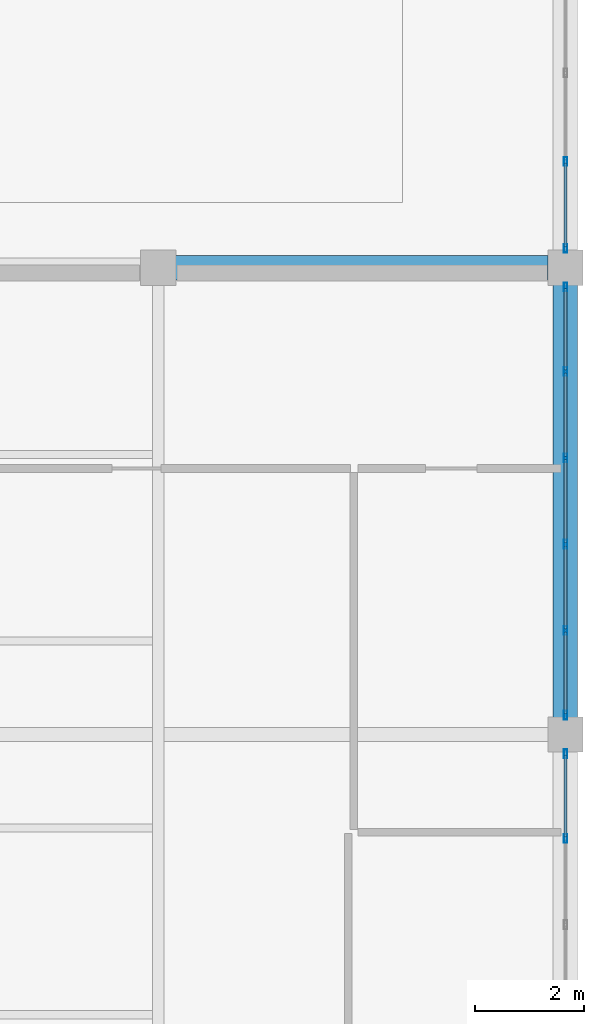
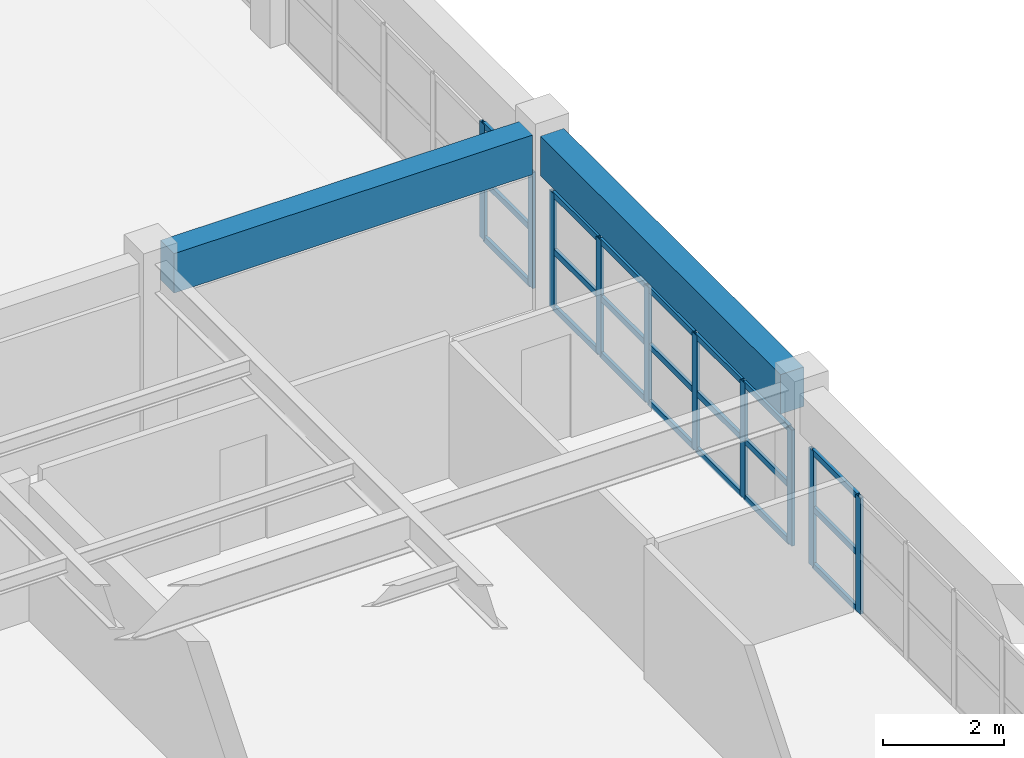
# One storey, part 34 of 74: 31 members, 2 beams, 3 elements without a shape of their own.
"""IFC4 building model written with IfcOpenShell, lengths in metres."""

from ifc_helpers import new_model, si_unit, direction, frame, origin, origin_2d, place, context, subcontext, project, spatial, rectangle, hollow_rectangle, extrude, material, layer, layer_set, material_profile, profile_set, type_object, element, aggregate, save


model = new_model("IFC4")

# Units and contexts
model_context = context("Model", 3, precision=1e-05, world=origin(), true_north=direction((0.0, 1.0)))
body_context = subcontext(model_context, "Body", "Model", "MODEL_VIEW")
ifc_project = project(units=[si_unit("LENGTHUNIT", "METRE"), si_unit("AREAUNIT", "SQUARE_METRE"), si_unit("VOLUMEUNIT", "CUBIC_METRE"), si_unit("PLANEANGLEUNIT", "RADIAN"), si_unit("MASSUNIT", "GRAM", prefix="KILO")], contexts=[model_context])

# Site, building, storey
site_placement = place(None, origin())
site = spatial("IfcSite", under=ifc_project, at=site_placement, CompositionType="ELEMENT")
building_placement = place(site_placement, origin())
building = spatial("IfcBuilding", under=site, at=building_placement, Name="Muzn Square Opera House", CompositionType="ELEMENT")
storey_placement = place(building_placement, frame((0.0, 0.0, 14.199951171875)))
storey = spatial("IfcBuildingStorey", under=building, at=storey_placement, Name="L03", CompositionType="ELEMENT", Elevation=14.199951171875)

# Curtain wall, members
ifc_material_1 = material(Name="Low-E laminated acoustic double glazing", Category="glass")
ifc_layer_1 = layer(ifc_material_1, 0.159912109375, Name="Low-E laminated acoustic double glazing", Category="glass")
ifc_layer_set_1 = layer_set([ifc_layer_1], Name="Low-E laminated acoustic double glazing")
curtain_wall_type_1 = type_object("IfcCurtainWallType", Name="Glazed Curtain Wall RehearsalEast 7950x2350", PredefinedType="USERDEFINED", material=ifc_layer_set_1)
curtain_wall_1_placement = place(storey_placement, origin())
curtain_wall_1 = element("IfcCurtainWall", 1, at=curtain_wall_1_placement, inside=storey, type_object=curtain_wall_type_1, Name="Glazed Curtain Wall CW-L03-126", ObjectType="GLAZED CURTAIN WALL", PredefinedType="USERDEFINED")
ifc_material_2 = material(Name="Anodised bronze aluminium 6063-T6", Category="metal")
ifc_material_profile_1 = material_profile(ifc_material_2, hollow_rectangle(XDim=0.06005859375, YDim=0.159912109375, WallThickness=0.00390625, at=origin_2d()), Name="ALU 160x60x4", Category="metal")
ifc_profile_set_1 = profile_set([ifc_material_profile_1], Name="Anodised bronze aluminium 6063-T6")
member_type_1 = type_object("IfcMemberType", Name="Curtain Wall Mullion 160x60", PredefinedType="MULLION", material=ifc_profile_set_1)
member_1_placement = place(storey_placement, frame((170.0, 79.284912109375, 0.0), z_axis=(0.0, 0.0, 1.0), x_axis=(-1.0, 0.0, 0.0)))
member_1 = element("IfcMember", 2, at=member_1_placement, type_object=member_type_1, Name="CW-RHE-79x23 mullion 5", PredefinedType="MULLION", context=body_context, shape_type="SweptSolid", body=[
    extrude(hollow_rectangle(XDim=0.06005859375, YDim=0.159912109375, WallThickness=0.00390625, at=origin_2d()), origin(), (0.0, 0.0, 1.0), 2.35009765625),
])
member_2_placement = place(storey_placement, frame((170.0, 80.844970703125, 0.0), z_axis=(0.0, 0.0, 1.0), x_axis=(-1.0, 0.0, 0.0)))
member_2 = element("IfcMember", 3, at=member_2_placement, type_object=member_type_1, Name="CW-RHE-79x23 mullion 6", PredefinedType="MULLION", context=body_context, shape_type="SweptSolid", body=[
    extrude(hollow_rectangle(XDim=0.06005859375, YDim=0.159912109375, WallThickness=0.00390625, at=origin_2d()), origin(), (0.0, 0.0, 1.0), 2.35009765625),
])

curtain_wall_2_placement = place(storey_placement, origin())
curtain_wall_2 = element("IfcCurtainWall", 4, at=curtain_wall_2_placement, inside=storey, type_object=curtain_wall_type_1, Name="Glazed Curtain Wall CW-L03-127", ObjectType="GLAZED CURTAIN WALL", PredefinedType="USERDEFINED")
member_3_placement = place(storey_placement, frame((170.0, 81.554931640625, 0.0), z_axis=(0.0, 0.0, 1.0), x_axis=(-1.0, 0.0, 0.0)))
member_3 = element("IfcMember", 5, at=member_3_placement, type_object=member_type_1, Name="CW-RHE-79x23 mullion 1", PredefinedType="MULLION", context=body_context, shape_type="SweptSolid", body=[
    extrude(hollow_rectangle(XDim=0.06005859375, YDim=0.159912109375, WallThickness=0.00390625, at=origin_2d()), origin(), (0.0, 0.0, 1.0), 2.35009765625),
])
member_4_placement = place(storey_placement, frame((170.0, 83.114990234375, 0.0), z_axis=(0.0, 0.0, 1.0), x_axis=(-1.0, 0.0, 0.0)))
member_4 = element("IfcMember", 6, at=member_4_placement, type_object=member_type_1, Name="CW-RHE-79x23 mullion 2", PredefinedType="MULLION", context=body_context, shape_type="SweptSolid", body=[
    extrude(hollow_rectangle(XDim=0.06005859375, YDim=0.159912109375, WallThickness=0.00390625, at=origin_2d()), origin(), (0.0, 0.0, 1.0), 2.35009765625),
])
member_5_placement = place(storey_placement, frame((170.0, 84.705078125, 0.0), z_axis=(0.0, 0.0, 1.0), x_axis=(-1.0, 0.0, 0.0)))
member_5 = element("IfcMember", 7, at=member_5_placement, type_object=member_type_1, Name="CW-RHE-79x23 mullion 3", PredefinedType="MULLION", context=body_context, shape_type="SweptSolid", body=[
    extrude(hollow_rectangle(XDim=0.06005859375, YDim=0.159912109375, WallThickness=0.00390625, at=origin_2d()), origin(), (0.0, 0.0, 1.0), 2.35009765625),
])
member_6_placement = place(storey_placement, frame((170.0, 86.294921875, 0.0), z_axis=(0.0, 0.0, 1.0), x_axis=(-1.0, 0.0, 0.0)))
member_6 = element("IfcMember", 8, at=member_6_placement, type_object=member_type_1, Name="CW-RHE-79x23 mullion 4", PredefinedType="MULLION", context=body_context, shape_type="SweptSolid", body=[
    extrude(hollow_rectangle(XDim=0.06005859375, YDim=0.159912109375, WallThickness=0.00390625, at=origin_2d()), origin(), (0.0, 0.0, 1.0), 2.35009765625),
])
member_7_placement = place(storey_placement, frame((170.0, 87.885009765625, 0.0), z_axis=(0.0, 0.0, 1.0), x_axis=(-1.0, 0.0, 0.0)))
member_7 = element("IfcMember", 9, at=member_7_placement, type_object=member_type_1, Name="CW-RHE-79x23 mullion 5", PredefinedType="MULLION", context=body_context, shape_type="SweptSolid", body=[
    extrude(hollow_rectangle(XDim=0.06005859375, YDim=0.159912109375, WallThickness=0.00390625, at=origin_2d()), origin(), (0.0, 0.0, 1.0), 2.35009765625),
])
member_8_placement = place(storey_placement, frame((170.0, 89.445068359375, 0.0), z_axis=(0.0, 0.0, 1.0), x_axis=(-1.0, 0.0, 0.0)))
member_8 = element("IfcMember", 10, at=member_8_placement, type_object=member_type_1, Name="CW-RHE-79x23 mullion 6", PredefinedType="MULLION", context=body_context, shape_type="SweptSolid", body=[
    extrude(hollow_rectangle(XDim=0.06005859375, YDim=0.159912109375, WallThickness=0.00390625, at=origin_2d()), origin(), (0.0, 0.0, 1.0), 2.35009765625),
])

ifc_layer_2 = layer(ifc_material_1, 0.159912109375, Name="Low-E laminated acoustic double glazing", Category="glass")
ifc_layer_set_2 = layer_set([ifc_layer_2], Name="Low-E laminated acoustic double glazing")
curtain_wall_type_2 = type_object("IfcCurtainWallType", Name="Glazed Curtain Wall RehearsalEast 8150x2350", PredefinedType="USERDEFINED", material=ifc_layer_set_2)
curtain_wall_3_placement = place(storey_placement, origin())
curtain_wall_3 = element("IfcCurtainWall", 11, at=curtain_wall_3_placement, inside=storey, type_object=curtain_wall_type_2, Name="Glazed Curtain Wall CW-L03-128", ObjectType="GLAZED CURTAIN WALL", PredefinedType="USERDEFINED")
member_9_placement = place(storey_placement, frame((170.0, 90.155029296875, 0.0), z_axis=(0.0, 0.0, 1.0), x_axis=(-1.0, 0.0, 0.0)))
member_9 = element("IfcMember", 12, at=member_9_placement, type_object=member_type_1, Name="CW-RHE-81x23 mullion 1", PredefinedType="MULLION", context=body_context, shape_type="SweptSolid", body=[
    extrude(hollow_rectangle(XDim=0.06005859375, YDim=0.159912109375, WallThickness=0.00390625, at=origin_2d()), origin(), (0.0, 0.0, 1.0), 2.35009765625),
])
member_10_placement = place(storey_placement, frame((170.0, 91.7548828125, 0.0), z_axis=(0.0, 0.0, 1.0), x_axis=(-1.0, 0.0, 0.0)))
member_10 = element("IfcMember", 13, at=member_10_placement, type_object=member_type_1, Name="CW-RHE-81x23 mullion 2", PredefinedType="MULLION", context=body_context, shape_type="SweptSolid", body=[
    extrude(hollow_rectangle(XDim=0.06005859375, YDim=0.159912109375, WallThickness=0.00390625, at=origin_2d()), origin(), (0.0, 0.0, 1.0), 2.35009765625),
])

# Member
ifc_material_profile_2 = material_profile(ifc_material_2, hollow_rectangle(XDim=0.06005859375, YDim=0.1201171875, WallThickness=0.00390625, at=origin_2d()), Name="ALU 120x60x4", Category="metal")
ifc_profile_set_2 = profile_set([ifc_material_profile_2], Name="Anodised bronze aluminium 6063-T6")
member_type_2 = type_object("IfcMemberType", Name="Curtain Wall Transom 120x60", PredefinedType="USERDEFINED", material=ifc_profile_set_2)
member_11_placement = place(storey_placement, frame((170.0, 79.31494140625, 0.030029296875), z_axis=(0.0, 1.0, 0.0), x_axis=(-1.0, 0.0, 0.0)))
member_11 = element("IfcMember", 14, at=member_11_placement, type_object=member_type_2, Name="CW-RHE-79x23 transom 5.1", ObjectType="TRANSOM", PredefinedType="USERDEFINED", context=body_context, shape_type="SweptSolid", body=[
    extrude(hollow_rectangle(XDim=0.06005859375, YDim=0.1201171875, WallThickness=0.00390625, at=origin_2d()), origin(), (0.0, 0.0, 1.0), 1.5),
])

member_12_placement = place(storey_placement, frame((170.0, 79.31494140625, 1.175048828125), z_axis=(0.0, 1.0, 0.0), x_axis=(-1.0, 0.0, 0.0)))
member_12 = element("IfcMember", 15, at=member_12_placement, type_object=member_type_2, Name="CW-RHE-79x23 transom 5.2", ObjectType="TRANSOM", PredefinedType="USERDEFINED", context=body_context, shape_type="SweptSolid", body=[
    extrude(hollow_rectangle(XDim=0.06005859375, YDim=0.1201171875, WallThickness=0.00390625, at=origin_2d()), origin(), (0.0, 0.0, 1.0), 1.5),
])

member_13_placement = place(storey_placement, frame((170.0, 79.31494140625, 2.320068359375), z_axis=(0.0, 1.0, 0.0), x_axis=(-1.0, 0.0, 0.0)))
member_13 = element("IfcMember", 16, at=member_13_placement, type_object=member_type_2, Name="CW-RHE-79x23 transom 5.3", ObjectType="TRANSOM", PredefinedType="USERDEFINED", context=body_context, shape_type="SweptSolid", body=[
    extrude(hollow_rectangle(XDim=0.06005859375, YDim=0.1201171875, WallThickness=0.00390625, at=origin_2d()), origin(), (0.0, 0.0, 1.0), 1.5),
])

aggregate(curtain_wall_1, [member_1, member_2, member_11, member_12, member_13])

member_14_placement = place(storey_placement, frame((170.0, 81.5849609375, 0.030029296875), z_axis=(0.0, 1.0, 0.0), x_axis=(-1.0, 0.0, 0.0)))
member_14 = element("IfcMember", 17, at=member_14_placement, type_object=member_type_2, Name="CW-RHE-79x23 transom 1.1", ObjectType="TRANSOM", PredefinedType="USERDEFINED", context=body_context, shape_type="SweptSolid", body=[
    extrude(hollow_rectangle(XDim=0.06005859375, YDim=0.1201171875, WallThickness=0.00390625, at=origin_2d()), origin(), (0.0, 0.0, 1.0), 1.5),
])

member_15_placement = place(storey_placement, frame((170.0, 81.5849609375, 1.175048828125), z_axis=(0.0, 1.0, 0.0), x_axis=(-1.0, 0.0, 0.0)))
member_15 = element("IfcMember", 18, at=member_15_placement, type_object=member_type_2, Name="CW-RHE-79x23 transom 1.2", ObjectType="TRANSOM", PredefinedType="USERDEFINED", context=body_context, shape_type="SweptSolid", body=[
    extrude(hollow_rectangle(XDim=0.06005859375, YDim=0.1201171875, WallThickness=0.00390625, at=origin_2d()), origin(), (0.0, 0.0, 1.0), 1.5),
])

member_16_placement = place(storey_placement, frame((170.0, 81.5849609375, 2.320068359375), z_axis=(0.0, 1.0, 0.0), x_axis=(-1.0, 0.0, 0.0)))
member_16 = element("IfcMember", 19, at=member_16_placement, type_object=member_type_2, Name="CW-RHE-79x23 transom 1.3", ObjectType="TRANSOM", PredefinedType="USERDEFINED", context=body_context, shape_type="SweptSolid", body=[
    extrude(hollow_rectangle(XDim=0.06005859375, YDim=0.1201171875, WallThickness=0.00390625, at=origin_2d()), origin(), (0.0, 0.0, 1.0), 1.5),
])

member_17_placement = place(storey_placement, frame((170.0, 83.14501953125, 0.030029296875), z_axis=(0.0, 1.0, 0.0), x_axis=(-1.0, 0.0, 0.0)))
member_17 = element("IfcMember", 20, at=member_17_placement, type_object=member_type_2, Name="CW-RHE-79x23 transom 2.1", ObjectType="TRANSOM", PredefinedType="USERDEFINED", context=body_context, shape_type="SweptSolid", body=[
    extrude(hollow_rectangle(XDim=0.06005859375, YDim=0.1201171875, WallThickness=0.00390625, at=origin_2d()), origin(), (0.0, 0.0, 1.0), 1.530029296875),
])

member_18_placement = place(storey_placement, frame((170.0, 83.14501953125, 1.175048828125), z_axis=(0.0, 1.0, 0.0), x_axis=(-1.0, 0.0, 0.0)))
member_18 = element("IfcMember", 21, at=member_18_placement, type_object=member_type_2, Name="CW-RHE-79x23 transom 2.2", ObjectType="TRANSOM", PredefinedType="USERDEFINED", context=body_context, shape_type="SweptSolid", body=[
    extrude(hollow_rectangle(XDim=0.06005859375, YDim=0.1201171875, WallThickness=0.00390625, at=origin_2d()), origin(), (0.0, 0.0, 1.0), 1.530029296875),
])

member_19_placement = place(storey_placement, frame((170.0, 83.14501953125, 2.320068359375), z_axis=(0.0, 1.0, 0.0), x_axis=(-1.0, 0.0, 0.0)))
member_19 = element("IfcMember", 22, at=member_19_placement, type_object=member_type_2, Name="CW-RHE-79x23 transom 2.3", ObjectType="TRANSOM", PredefinedType="USERDEFINED", context=body_context, shape_type="SweptSolid", body=[
    extrude(hollow_rectangle(XDim=0.06005859375, YDim=0.1201171875, WallThickness=0.00390625, at=origin_2d()), origin(), (0.0, 0.0, 1.0), 1.530029296875),
])

member_20_placement = place(storey_placement, frame((170.0, 84.735107421875, 0.030029296875), z_axis=(0.0, 1.0, 0.0), x_axis=(-1.0, 0.0, 0.0)))
member_20 = element("IfcMember", 23, at=member_20_placement, type_object=member_type_2, Name="CW-RHE-79x23 transom 3.1", ObjectType="TRANSOM", PredefinedType="USERDEFINED", context=body_context, shape_type="SweptSolid", body=[
    extrude(hollow_rectangle(XDim=0.06005859375, YDim=0.1201171875, WallThickness=0.00390625, at=origin_2d()), origin(), (0.0, 0.0, 1.0), 1.52978515625),
])

member_21_placement = place(storey_placement, frame((170.0, 84.735107421875, 1.175048828125), z_axis=(0.0, 1.0, 0.0), x_axis=(-1.0, 0.0, 0.0)))
member_21 = element("IfcMember", 24, at=member_21_placement, type_object=member_type_2, Name="CW-RHE-79x23 transom 3.2", ObjectType="TRANSOM", PredefinedType="USERDEFINED", context=body_context, shape_type="SweptSolid", body=[
    extrude(hollow_rectangle(XDim=0.06005859375, YDim=0.1201171875, WallThickness=0.00390625, at=origin_2d()), origin(), (0.0, 0.0, 1.0), 1.52978515625),
])

member_22_placement = place(storey_placement, frame((170.0, 84.735107421875, 2.320068359375), z_axis=(0.0, 1.0, 0.0), x_axis=(-1.0, 0.0, 0.0)))
member_22 = element("IfcMember", 25, at=member_22_placement, type_object=member_type_2, Name="CW-RHE-79x23 transom 3.3", ObjectType="TRANSOM", PredefinedType="USERDEFINED", context=body_context, shape_type="SweptSolid", body=[
    extrude(hollow_rectangle(XDim=0.06005859375, YDim=0.1201171875, WallThickness=0.00390625, at=origin_2d()), origin(), (0.0, 0.0, 1.0), 1.52978515625),
])

member_23_placement = place(storey_placement, frame((170.0, 86.324951171875, 0.030029296875), z_axis=(0.0, 1.0, 0.0), x_axis=(-1.0, 0.0, 0.0)))
member_23 = element("IfcMember", 26, at=member_23_placement, type_object=member_type_2, Name="CW-RHE-79x23 transom 4.1", ObjectType="TRANSOM", PredefinedType="USERDEFINED", context=body_context, shape_type="SweptSolid", body=[
    extrude(hollow_rectangle(XDim=0.06005859375, YDim=0.1201171875, WallThickness=0.00390625, at=origin_2d()), origin(), (0.0, 0.0, 1.0), 1.530029296875),
])

member_24_placement = place(storey_placement, frame((170.0, 86.324951171875, 1.175048828125), z_axis=(0.0, 1.0, 0.0), x_axis=(-1.0, 0.0, 0.0)))
member_24 = element("IfcMember", 27, at=member_24_placement, type_object=member_type_2, Name="CW-RHE-79x23 transom 4.2", ObjectType="TRANSOM", PredefinedType="USERDEFINED", context=body_context, shape_type="SweptSolid", body=[
    extrude(hollow_rectangle(XDim=0.06005859375, YDim=0.1201171875, WallThickness=0.00390625, at=origin_2d()), origin(), (0.0, 0.0, 1.0), 1.530029296875),
])

member_25_placement = place(storey_placement, frame((170.0, 86.324951171875, 2.320068359375), z_axis=(0.0, 1.0, 0.0), x_axis=(-1.0, 0.0, 0.0)))
member_25 = element("IfcMember", 28, at=member_25_placement, type_object=member_type_2, Name="CW-RHE-79x23 transom 4.3", ObjectType="TRANSOM", PredefinedType="USERDEFINED", context=body_context, shape_type="SweptSolid", body=[
    extrude(hollow_rectangle(XDim=0.06005859375, YDim=0.1201171875, WallThickness=0.00390625, at=origin_2d()), origin(), (0.0, 0.0, 1.0), 1.530029296875),
])

member_26_placement = place(storey_placement, frame((170.0, 87.9150390625, 0.030029296875), z_axis=(0.0, 1.0, 0.0), x_axis=(-1.0, 0.0, 0.0)))
member_26 = element("IfcMember", 29, at=member_26_placement, type_object=member_type_2, Name="CW-RHE-79x23 transom 5.1", ObjectType="TRANSOM", PredefinedType="USERDEFINED", context=body_context, shape_type="SweptSolid", body=[
    extrude(hollow_rectangle(XDim=0.06005859375, YDim=0.1201171875, WallThickness=0.00390625, at=origin_2d()), origin(), (0.0, 0.0, 1.0), 1.5),
])

member_27_placement = place(storey_placement, frame((170.0, 87.9150390625, 1.175048828125), z_axis=(0.0, 1.0, 0.0), x_axis=(-1.0, 0.0, 0.0)))
member_27 = element("IfcMember", 30, at=member_27_placement, type_object=member_type_2, Name="CW-RHE-79x23 transom 5.2", ObjectType="TRANSOM", PredefinedType="USERDEFINED", context=body_context, shape_type="SweptSolid", body=[
    extrude(hollow_rectangle(XDim=0.06005859375, YDim=0.1201171875, WallThickness=0.00390625, at=origin_2d()), origin(), (0.0, 0.0, 1.0), 1.5),
])

member_28_placement = place(storey_placement, frame((170.0, 87.9150390625, 2.320068359375), z_axis=(0.0, 1.0, 0.0), x_axis=(-1.0, 0.0, 0.0)))
member_28 = element("IfcMember", 31, at=member_28_placement, type_object=member_type_2, Name="CW-RHE-79x23 transom 5.3", ObjectType="TRANSOM", PredefinedType="USERDEFINED", context=body_context, shape_type="SweptSolid", body=[
    extrude(hollow_rectangle(XDim=0.06005859375, YDim=0.1201171875, WallThickness=0.00390625, at=origin_2d()), origin(), (0.0, 0.0, 1.0), 1.5),
])

aggregate(curtain_wall_2, [member_3, member_4, member_5, member_6, member_7, member_8, member_14, member_15, member_16, member_17, member_18, member_19, member_20, member_21, member_22, member_23, member_24, member_25, member_26, member_27, member_28])

member_29_placement = place(storey_placement, frame((170.0, 90.18505859375, 0.030029296875), z_axis=(0.0, 1.0, 0.0), x_axis=(-1.0, 0.0, 0.0)))
member_29 = element("IfcMember", 32, at=member_29_placement, type_object=member_type_2, Name="CW-RHE-81x23 transom 1.1", ObjectType="TRANSOM", PredefinedType="USERDEFINED", context=body_context, shape_type="SweptSolid", body=[
    extrude(hollow_rectangle(XDim=0.06005859375, YDim=0.1201171875, WallThickness=0.00390625, at=origin_2d()), origin(), (0.0, 0.0, 1.0), 1.5400390625),
])

member_30_placement = place(storey_placement, frame((170.0, 90.18505859375, 1.175048828125), z_axis=(0.0, 1.0, 0.0), x_axis=(-1.0, 0.0, 0.0)))
member_30 = element("IfcMember", 33, at=member_30_placement, type_object=member_type_2, Name="CW-RHE-81x23 transom 1.2", ObjectType="TRANSOM", PredefinedType="USERDEFINED", context=body_context, shape_type="SweptSolid", body=[
    extrude(hollow_rectangle(XDim=0.06005859375, YDim=0.1201171875, WallThickness=0.00390625, at=origin_2d()), origin(), (0.0, 0.0, 1.0), 1.5400390625),
])

member_31_placement = place(storey_placement, frame((170.0, 90.18505859375, 2.320068359375), z_axis=(0.0, 1.0, 0.0), x_axis=(-1.0, 0.0, 0.0)))
member_31 = element("IfcMember", 34, at=member_31_placement, type_object=member_type_2, Name="CW-RHE-81x23 transom 1.3", ObjectType="TRANSOM", PredefinedType="USERDEFINED", context=body_context, shape_type="SweptSolid", body=[
    extrude(hollow_rectangle(XDim=0.06005859375, YDim=0.1201171875, WallThickness=0.00390625, at=origin_2d()), origin(), (0.0, 0.0, 1.0), 1.5400390625),
])

aggregate(curtain_wall_3, [member_9, member_10, member_29, member_30, member_31])

# Beams
ifc_material_3 = material(Name="Concrete C40/50", Category="concrete")
ifc_material_profile_3 = material_profile(ifc_material_3, rectangle(XDim=0.449951171875, YDim=0.800048828125, at=origin_2d()), Name="RCB 450x800", Category="concrete")
ifc_profile_set_3 = profile_set([ifc_material_profile_3], Name="Concrete C40/50")
beam_type = type_object("IfcBeamType", Name="Primary Girder 450x800", PredefinedType="BEAM", material=ifc_profile_set_3)
beam_1_placement = place(storey_placement, frame((162.81689453125, 89.800048828125, 3.1201171875), z_axis=(1.0, 0.0, 0.0), x_axis=(0.0, 1.0, 0.0)))
element("IfcBeam", 35, at=beam_1_placement, inside=storey, type_object=beam_type, Name="Primary Girder BM-L03-BM-PG800-1628_898_1697_898-2513", PredefinedType="BEAM", context=body_context, shape_type="SweptSolid", body=[
    extrude(rectangle(XDim=0.449951171875, YDim=0.800048828125, at=origin_2d()), origin(), (0.0, 0.0, 1.0), 6.8662109375),
])
beam_2_placement = place(storey_placement, frame((170.0, 81.51708984375, 3.1201171875), z_axis=(0.0, 1.0, 0.0), x_axis=(-1.0, 0.0, 0.0)))
element("IfcBeam", 36, at=beam_2_placement, inside=storey, type_object=beam_type, Name="Primary Girder BM-L03-BM-PG800-1700_815_1700_895-2634", PredefinedType="BEAM", context=body_context, shape_type="SweptSolid", body=[
    extrude(rectangle(XDim=0.449951171875, YDim=0.800048828125, at=origin_2d()), origin(), (0.0, 0.0, 1.0), 7.9658203125),
])

save(model, "model.ifc")
